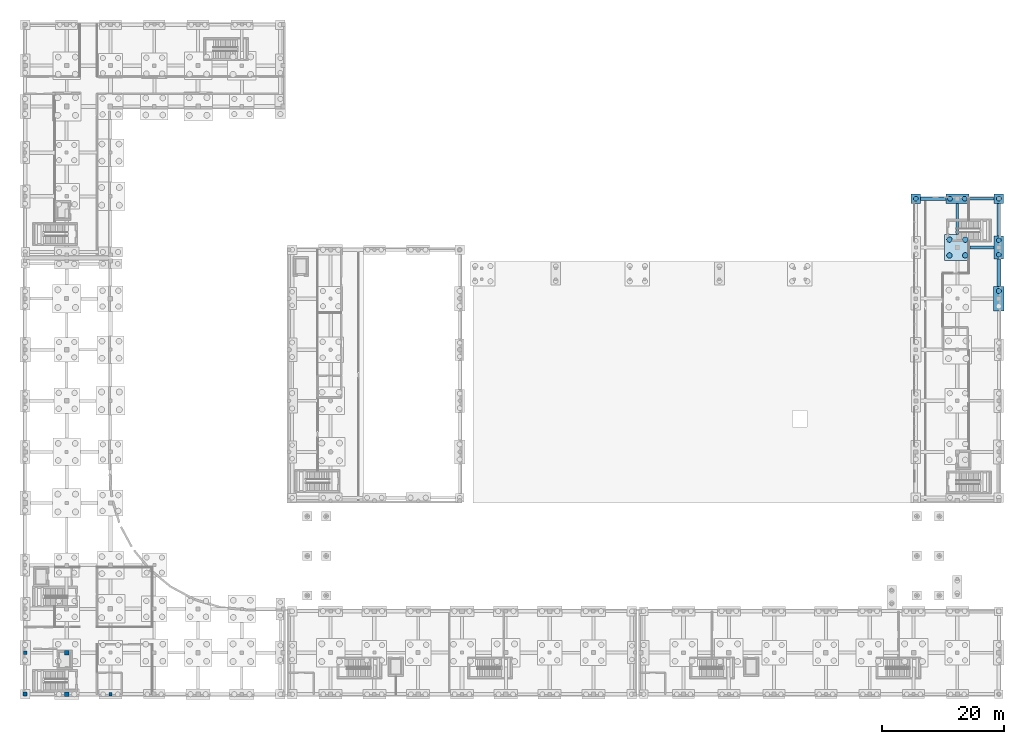
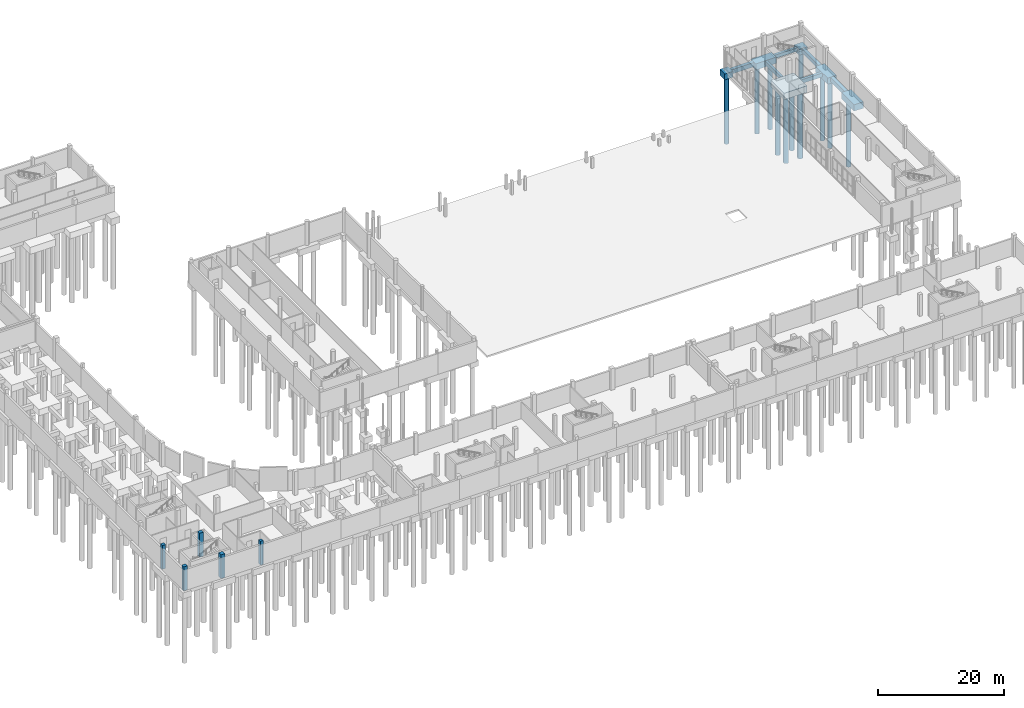
# One storey, part 10 of 41: 12 footings, 11 piles, 5 columns.
"""IFC4 building model written with IfcOpenShell, lengths in metres."""

from ifc_helpers import new_model, si_unit, direction, frame, origin, origin_2d, place, context, subcontext, project, spatial, rectangle, circle, extrude, material, material_profile, profile_set, type_object, element, save


model = new_model("IFC4")

# Units and contexts
model_context = context("Model", 3, precision=1e-05, world=origin(), true_north=direction((0.0, 1.0)))
body_context = subcontext(model_context, "Body", "Model", "MODEL_VIEW")
ifc_project = project(units=[si_unit("LENGTHUNIT", "METRE"), si_unit("AREAUNIT", "SQUARE_METRE"), si_unit("VOLUMEUNIT", "CUBIC_METRE"), si_unit("PLANEANGLEUNIT", "RADIAN"), si_unit("MASSUNIT", "GRAM", prefix="KILO")], contexts=[model_context])

# Site, building, storey
site_placement = place(None, origin())
site = spatial("IfcSite", under=ifc_project, at=site_placement, CompositionType="ELEMENT")
building_placement = place(site_placement, origin())
building = spatial("IfcBuilding", under=site, at=building_placement, Name="Vardoun Plaza Health Centre", CompositionType="ELEMENT")
storey_placement = place(building_placement, frame((0.0, 0.0, -4.5)))
storey = spatial("IfcBuildingStorey", under=building, at=storey_placement, Name="B1", CompositionType="ELEMENT", Elevation=-4.5)

# Footings
ifc_material_1 = material(Name="Concrete C40/50", Category="concrete")
footing_type_1 = type_object("IfcFootingType", Name="PC-02", PredefinedType="PILE_CAP", material=ifc_material_1)
for number, where, z_axis, x_axis, name in (
    (1, (151.280029296875, 86.320068359375, -1.570068359375), (0.0, 0.0, 1.0), (1.0, 0.0, 0.0), "V6 Pile Cap PC-V6-07"),
    (2, (164.919921875, 86.320068359375, -1.570068359375), (0.0, 0.0, 1.0), (1.0, 0.0, 0.0), "V6 Pile Cap PC-V6-21"),
):
    element("IfcFooting", number, at=place(storey_placement, frame(where, z_axis=z_axis, x_axis=x_axis)), inside=storey, type_object=footing_type_1, Name=name, PredefinedType="PILE_CAP", context=body_context, shape_type="SweptSolid", body=[
        extrude(rectangle(XDim=1.550048828125, YDim=1.550048828125, at=origin_2d()), origin(), (0.0, 0.0, 1.0), 1.14990234375),
    ])
ifc_material_2 = material(Name="Concrete C40/50", Category="concrete")
footing_type_2 = type_object("IfcFootingType", Name="PC-04", PredefinedType="PILE_CAP", material=ifc_material_2)
for number, where, z_axis, x_axis, name in (
    (3, (158.10009765625, 86.320068359375, -1.6201171875), (0.0, 0.0, 1.0), (1.0, 0.0, 0.0), "V6 Pile Cap PC-V6-14"),
    (4, (164.919921875, 78.300048828125, -1.6201171875), (0.0, 0.0, 1.0), (0.0, 1.0, 0.0), "V6 Pile Cap PC-V6-20"),
):
    element("IfcFooting", number, at=place(storey_placement, frame(where, z_axis=z_axis, x_axis=x_axis)), inside=storey, type_object=footing_type_2, Name=name, PredefinedType="PILE_CAP", context=body_context, shape_type="SweptSolid", body=[
        extrude(rectangle(XDim=3.800048828125, YDim=1.60009765625, at=origin_2d()), origin(), (0.0, 0.0, 1.0), 1.199951171875),
    ])
ifc_material_3 = material(Name="Concrete C40/50", Category="concrete")
footing_type_3 = type_object("IfcFootingType", Name="PC-05", PredefinedType="PILE_CAP", material=ifc_material_3)
footing_1_placement = place(storey_placement, frame((164.919921875, 69.89990234375, -1.669921875), z_axis=(0.0, 0.0, 1.0), x_axis=(0.0, 1.0, 0.0)))
element("IfcFooting", 5, at=footing_1_placement, inside=storey, type_object=footing_type_3, Name="V6 Pile Cap PC-V6-19", PredefinedType="PILE_CAP", context=body_context, shape_type="SweptSolid", body=[
    extrude(rectangle(XDim=4.0, YDim=1.699951171875, at=origin_2d()), origin(), (0.0, 0.0, 1.0), 1.25),
])
ifc_material_4 = material(Name="Concrete C40/50", Category="concrete")
footing_type_4 = type_object("IfcFootingType", Name="PC-07", PredefinedType="PILE_CAP", material=ifc_material_4)
footing_2_placement = place(storey_placement, frame((158.10009765625, 78.300048828125, -1.669921875), z_axis=(0.0, 0.0, 1.0), x_axis=(1.0, 0.0, 0.0)))
element("IfcFooting", 6, at=footing_2_placement, inside=storey, type_object=footing_type_4, Name="V6 Pile Cap PC-V6-13", PredefinedType="PILE_CAP", context=body_context, shape_type="SweptSolid", body=[
    extrude(rectangle(XDim=4.199951171875, YDim=4.199951171875, at=origin_2d()), origin(), (0.0, 0.0, 1.0), 1.25),
])
ifc_material_5 = material(Name="Concrete C40/50", Category="concrete")
ifc_material_profile_1 = material_profile(ifc_material_5, rectangle(XDim=0.449951171875, YDim=0.699951171875, at=origin_2d()), Name="GB 450x700")
ifc_profile_set_1 = profile_set([ifc_material_profile_1], Name="Concrete C40/50")
footing_type_5 = type_object("IfcFootingType", Name="GB-01", PredefinedType="FOOTING_BEAM", material=ifc_profile_set_1)
footing_3_placement = place(storey_placement, frame((160.0, 86.320068359375, -0.77001953125), z_axis=(1.0, 0.0, 0.0), x_axis=(0.0, 1.0, 0.0)))
element("IfcFooting", 7, at=footing_3_placement, inside=storey, type_object=footing_type_5, Name="V6 Ground Tie Beam 14", PredefinedType="FOOTING_BEAM", context=body_context, shape_type="SweptSolid", body=[
    extrude(rectangle(XDim=0.449951171875, YDim=0.699951171875, at=origin_2d()), origin(), (0.0, 0.0, 1.0), 4.14501953125),
])
footing_4_placement = place(storey_placement, frame((158.10009765625, 80.400146484375, -0.77001953125), z_axis=(0.0, 1.0, 0.0), x_axis=(-1.0, 0.0, 0.0)))
element("IfcFooting", 8, at=footing_4_placement, inside=storey, type_object=footing_type_5, Name="V6 Ground Tie Beam 26", PredefinedType="FOOTING_BEAM", context=body_context, shape_type="SweptSolid", body=[
    extrude(rectangle(XDim=0.449951171875, YDim=0.699951171875, at=origin_2d()), origin(), (0.0, 0.0, 1.0), 5.119873046875),
])
ifc_material_6 = material(Name="Concrete C40/50", Category="concrete")
ifc_material_profile_2 = material_profile(ifc_material_6, rectangle(XDim=0.5, YDim=0.75, at=origin_2d()), Name="GB 500x750")
ifc_profile_set_2 = profile_set([ifc_material_profile_2], Name="Concrete C40/50")
footing_type_6 = type_object("IfcFootingType", Name="GB-02", PredefinedType="FOOTING_BEAM", material=ifc_profile_set_2)
footing_5_placement = place(storey_placement, frame((160.199951171875, 78.300048828125, -0.794921875), z_axis=(1.0, 0.0, 0.0), x_axis=(0.0, 1.0, 0.0)))
element("IfcFooting", 9, at=footing_5_placement, inside=storey, type_object=footing_type_6, Name="V6 Ground Tie Beam 13", PredefinedType="FOOTING_BEAM", context=body_context, shape_type="SweptSolid", body=[
    extrude(rectangle(XDim=0.5, YDim=0.75, at=origin_2d()), origin(), (0.0, 0.0, 1.0), 3.920166015625),
])
ifc_material_7 = material(Name="Concrete C40/50", Category="concrete")
ifc_material_profile_3 = material_profile(ifc_material_7, rectangle(XDim=0.550048828125, YDim=0.800048828125, at=origin_2d()), Name="GB 550x800")
ifc_profile_set_3 = profile_set([ifc_material_profile_3], Name="Concrete C40/50")
footing_type_7 = type_object("IfcFootingType", Name="GB-03", PredefinedType="FOOTING_BEAM", material=ifc_profile_set_3)
footing_6_placement = place(storey_placement, frame((164.919921875, 80.199951171875, -0.820068359375), z_axis=(0.0, 1.0, 0.0), x_axis=(-1.0, 0.0, 0.0)))
element("IfcFooting", 10, at=footing_6_placement, inside=storey, type_object=footing_type_7, Name="V6 Ground Tie Beam 32", PredefinedType="FOOTING_BEAM", context=body_context, shape_type="SweptSolid", body=[
    extrude(rectangle(XDim=0.550048828125, YDim=0.800048828125, at=origin_2d()), origin(), (0.0, 0.0, 1.0), 5.344970703125),
])
ifc_material_8 = material(Name="Concrete C40/50", Category="concrete")
ifc_material_profile_4 = material_profile(ifc_material_8, rectangle(XDim=0.60009765625, YDim=0.85009765625, at=origin_2d()), Name="GB 600x850")
ifc_profile_set_4 = profile_set([ifc_material_profile_4], Name="Concrete C40/50")
footing_type_8 = type_object("IfcFootingType", Name="GB-04", PredefinedType="FOOTING_BEAM", material=ifc_profile_set_4)
footing_7_placement = place(storey_placement, frame((152.054931640625, 86.320068359375, -0.844970703125), z_axis=(1.0, 0.0, 0.0), x_axis=(0.0, 1.0, 0.0)))
element("IfcFooting", 11, at=footing_7_placement, inside=storey, type_object=footing_type_8, Name="V6 Ground Tie Beam 7", PredefinedType="FOOTING_BEAM", context=body_context, shape_type="SweptSolid", body=[
    extrude(rectangle(XDim=0.60009765625, YDim=0.85009765625, at=origin_2d()), origin(), (0.0, 0.0, 1.0), 4.14501953125),
])
footing_8_placement = place(storey_placement, frame((164.919921875, 71.900146484375, -0.844970703125), z_axis=(0.0, 1.0, 0.0), x_axis=(-1.0, 0.0, 0.0)))
element("IfcFooting", 12, at=footing_8_placement, inside=storey, type_object=footing_type_8, Name="V6 Ground Tie Beam 31", PredefinedType="FOOTING_BEAM", context=body_context, shape_type="SweptSolid", body=[
    extrude(rectangle(XDim=0.60009765625, YDim=0.85009765625, at=origin_2d()), origin(), (0.0, 0.0, 1.0), 4.5),
])

# Piles
ifc_material_9 = material(Name="Concrete C40/50", Category="concrete")
ifc_material_profile_5 = material_profile(ifc_material_9, circle(Radius=0.39990234375, at=origin_2d()), Name="PILE D800")
ifc_profile_set_5 = profile_set([ifc_material_profile_5], Name="Concrete C40/50")
pile_type_1 = type_object("IfcPileType", Name="PL-02", PredefinedType="BORED", material=ifc_profile_set_5)
pile_1_placement = place(storey_placement, frame((151.280029296875, 86.320068359375, -1.469970703125), z_axis=(0.0, 0.0, -1.0), x_axis=(1.0, 0.0, 0.0)))
element("IfcPile", 13, at=pile_1_placement, inside=storey, type_object=pile_type_1, Name="V6 Bored Pile PL-V6-07A", PredefinedType="BORED", context=body_context, shape_type="SweptSolid", body=[
    extrude(circle(Radius=0.39990234375, at=origin_2d()), origin(), (0.0, 0.0, 1.0), 13.030029296875),
])
for number, where, z_axis, x_axis, name in (
    (14, (156.89990234375, 86.320068359375, -1.52001953125), (0.0, 0.0, -1.0), (1.0, 0.0, 0.0), "V6 Bored Pile PL-V6-14A"),
    (15, (159.300048828125, 86.320068359375, -1.52001953125), (0.0, 0.0, -1.0), (1.0, 0.0, 0.0), "V6 Bored Pile PL-V6-14B"),
    (16, (164.919921875, 77.10009765625, -1.52001953125), (0.0, 0.0, -1.0), (1.0, 0.0, 0.0), "V6 Bored Pile PL-V6-20A"),
    (17, (164.919921875, 79.5, -1.52001953125), (0.0, 0.0, -1.0), (1.0, 0.0, 0.0), "V6 Bored Pile PL-V6-20B"),
):
    element("IfcPile", number, at=place(storey_placement, frame(where, z_axis=z_axis, x_axis=x_axis)), inside=storey, type_object=pile_type_1, Name=name, PredefinedType="BORED", context=body_context, shape_type="SweptSolid", body=[
        extrude(circle(Radius=0.39990234375, at=origin_2d()), origin(), (0.0, 0.0, 1.0), 12.97998046875),
    ])
pile_2_placement = place(storey_placement, frame((164.919921875, 86.320068359375, -1.469970703125), z_axis=(0.0, 0.0, -1.0), x_axis=(1.0, 0.0, 0.0)))
element("IfcPile", 18, at=pile_2_placement, inside=storey, type_object=pile_type_1, Name="V6 Bored Pile PL-V6-21A", PredefinedType="BORED", context=body_context, shape_type="SweptSolid", body=[
    extrude(circle(Radius=0.39990234375, at=origin_2d()), origin(), (0.0, 0.0, 1.0), 13.030029296875),
])
ifc_material_10 = material(Name="Concrete C40/50", Category="concrete")
ifc_material_profile_6 = material_profile(ifc_material_10, circle(Radius=0.425048828125, at=origin_2d()), Name="PILE D850")
ifc_profile_set_6 = profile_set([ifc_material_profile_6], Name="Concrete C40/50")
pile_type_2 = type_object("IfcPileType", Name="PL-03", PredefinedType="BORED", material=ifc_profile_set_6)
pile_3_placement = place(storey_placement, frame((164.919921875, 71.14990234375, -1.570068359375), z_axis=(0.0, 0.0, -1.0), x_axis=(1.0, 0.0, 0.0)))
element("IfcPile", 19, at=pile_3_placement, inside=storey, type_object=pile_type_2, Name="V6 Bored Pile PL-V6-19B", PredefinedType="BORED", context=body_context, shape_type="SweptSolid", body=[
    extrude(circle(Radius=0.425048828125, at=origin_2d()), origin(), (0.0, 0.0, 1.0), 12.929931640625),
])
ifc_material_11 = material(Name="Concrete C40/50", Category="concrete")
ifc_material_profile_7 = material_profile(ifc_material_11, circle(Radius=0.449951171875, at=origin_2d()), Name="PILE D900")
ifc_profile_set_7 = profile_set([ifc_material_profile_7], Name="Concrete C40/50")
pile_type_3 = type_object("IfcPileType", Name="PL-04", PredefinedType="BORED", material=ifc_profile_set_7)
for number, where, z_axis, x_axis, name in (
    (20, (156.800048828125, 77.0, -1.570068359375), (0.0, 0.0, -1.0), (1.0, 0.0, 0.0), "V6 Bored Pile PL-V6-13A"),
    (21, (159.39990234375, 77.0, -1.570068359375), (0.0, 0.0, -1.0), (1.0, 0.0, 0.0), "V6 Bored Pile PL-V6-13B"),
    (22, (156.800048828125, 79.60009765625, -1.570068359375), (0.0, 0.0, -1.0), (1.0, 0.0, 0.0), "V6 Bored Pile PL-V6-13C"),
    (23, (159.39990234375, 79.60009765625, -1.570068359375), (0.0, 0.0, -1.0), (1.0, 0.0, 0.0), "V6 Bored Pile PL-V6-13D"),
):
    element("IfcPile", number, at=place(storey_placement, frame(where, z_axis=z_axis, x_axis=x_axis)), inside=storey, type_object=pile_type_3, Name=name, PredefinedType="BORED", context=body_context, shape_type="SweptSolid", body=[
        extrude(circle(Radius=0.449951171875, at=origin_2d()), origin(), (0.0, 0.0, 1.0), 12.929931640625),
    ])

# Columns
ifc_material_12 = material(Name="Concrete C40/50", Category="concrete")
ifc_material_profile_8 = material_profile(ifc_material_12, rectangle(XDim=0.550048828125, YDim=0.550048828125, at=origin_2d()), Name="RC-COL 550x550")
ifc_profile_set_8 = profile_set([ifc_material_profile_8], Name="Concrete C40/50")
column_type_1 = type_object("IfcColumnType", Name="C-05", PredefinedType="COLUMN", material=ifc_profile_set_8)
column_1_placement = place(storey_placement, frame((18.89990234375, 4.8798828125, -0.419921875), z_axis=(0.0, 0.0, 1.0), x_axis=(1.0, 0.0, 0.0)))
element("IfcColumn", 24, at=column_1_placement, inside=storey, type_object=column_type_1, Name="V2 B1 Column C-V2-21", PredefinedType="COLUMN", context=body_context, shape_type="SweptSolid", body=[
    extrude(rectangle(XDim=0.550048828125, YDim=0.550048828125, at=origin_2d()), origin(), (0.0, 0.0, 1.0), 4.639892578125),
])
ifc_material_13 = material(Name="Concrete C40/50", Category="concrete")
ifc_material_profile_9 = material_profile(ifc_material_13, rectangle(XDim=0.60009765625, YDim=0.60009765625, at=origin_2d()), Name="RC-COL 600x600")
ifc_profile_set_9 = profile_set([ifc_material_profile_9], Name="Concrete C40/50")
column_type_2 = type_object("IfcColumnType", Name="C-04", PredefinedType="COLUMN", material=ifc_profile_set_9)
column_2_placement = place(storey_placement, frame((4.8798828125, 11.699951171875, -0.419921875), z_axis=(0.0, 0.0, 1.0), x_axis=(1.0, 0.0, 0.0)))
element("IfcColumn", 25, at=column_2_placement, inside=storey, type_object=column_type_2, Name="V2 B1 Column C-V2-02", PredefinedType="COLUMN", context=body_context, shape_type="SweptSolid", body=[
    extrude(rectangle(XDim=0.60009765625, YDim=0.60009765625, at=origin_2d()), origin(), (0.0, 0.0, 1.0), 4.639892578125),
])
ifc_material_14 = material(Name="Concrete C40/50", Category="concrete")
ifc_material_profile_10 = material_profile(ifc_material_14, rectangle(XDim=0.64990234375, YDim=0.64990234375, at=origin_2d()), Name="RC-COL 650x650")
ifc_profile_set_10 = profile_set([ifc_material_profile_10], Name="Concrete C40/50")
column_type_3 = type_object("IfcColumnType", Name="C-03", PredefinedType="COLUMN", material=ifc_profile_set_10)
column_3_placement = place(storey_placement, frame((4.8798828125, 4.8798828125, -0.419921875), z_axis=(0.0, 0.0, 1.0), x_axis=(1.0, 0.0, 0.0)))
element("IfcColumn", 26, at=column_3_placement, inside=storey, type_object=column_type_3, Name="V2 B1 Column C-V2-01", PredefinedType="COLUMN", context=body_context, shape_type="SweptSolid", body=[
    extrude(rectangle(XDim=0.64990234375, YDim=0.64990234375, at=origin_2d()), origin(), (0.0, 0.0, 1.0), 4.639892578125),
])
ifc_material_15 = material(Name="Concrete C40/50", Category="concrete")
ifc_material_profile_11 = material_profile(ifc_material_15, rectangle(XDim=0.699951171875, YDim=0.699951171875, at=origin_2d()), Name="RC-COL 700x700")
ifc_profile_set_11 = profile_set([ifc_material_profile_11], Name="Concrete C40/50")
column_type_4 = type_object("IfcColumnType", Name="C-02", PredefinedType="COLUMN", material=ifc_profile_set_11)
column_4_placement = place(storey_placement, frame((11.699951171875, 11.699951171875, -0.419921875), z_axis=(0.0, 0.0, 1.0), x_axis=(1.0, 0.0, 0.0)))
element("IfcColumn", 27, at=column_4_placement, inside=storey, type_object=column_type_4, Name="V2 B1 Column C-V2-12", PredefinedType="COLUMN", context=body_context, shape_type="SweptSolid", body=[
    extrude(rectangle(XDim=0.699951171875, YDim=0.699951171875, at=origin_2d()), origin(), (0.0, 0.0, 1.0), 4.639892578125),
])
ifc_material_16 = material(Name="Concrete C40/50", Category="concrete")
ifc_material_profile_12 = material_profile(ifc_material_16, rectangle(XDim=0.75, YDim=0.75, at=origin_2d()), Name="RC-COL 750x750")
ifc_profile_set_12 = profile_set([ifc_material_profile_12], Name="Concrete C40/50")
column_type_5 = type_object("IfcColumnType", Name="C-01", PredefinedType="COLUMN", material=ifc_profile_set_12)
column_5_placement = place(storey_placement, frame((11.699951171875, 4.8798828125, -0.419921875), z_axis=(0.0, 0.0, 1.0), x_axis=(1.0, 0.0, 0.0)))
element("IfcColumn", 28, at=column_5_placement, inside=storey, type_object=column_type_5, Name="V2 B1 Column C-V2-11", PredefinedType="COLUMN", context=body_context, shape_type="SweptSolid", body=[
    extrude(rectangle(XDim=0.75, YDim=0.75, at=origin_2d()), origin(), (0.0, 0.0, 1.0), 4.639892578125),
])

save(model, "model.ifc")
